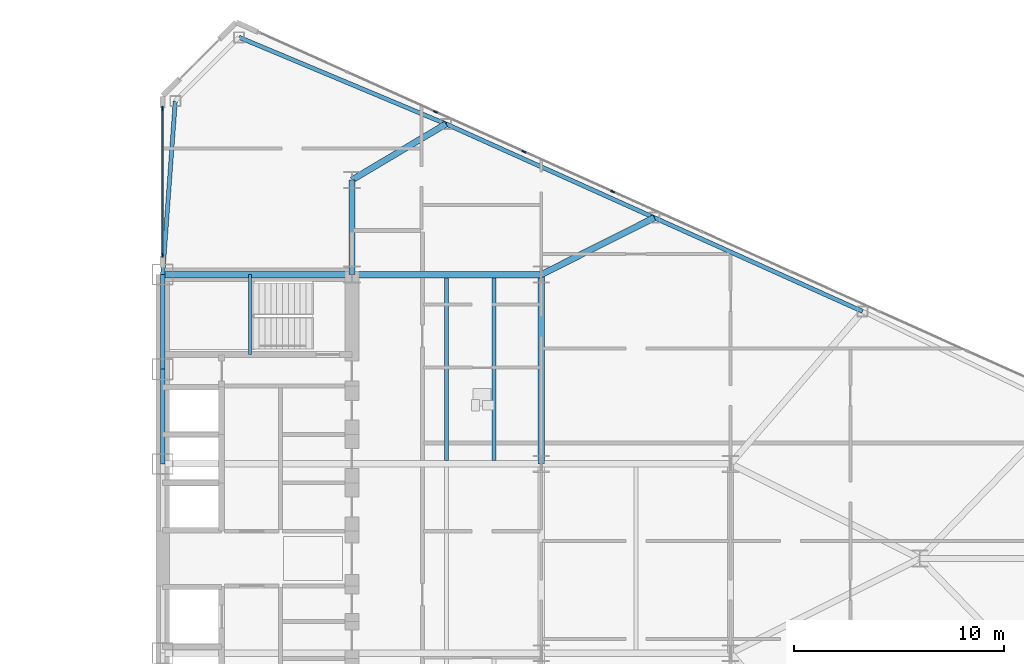
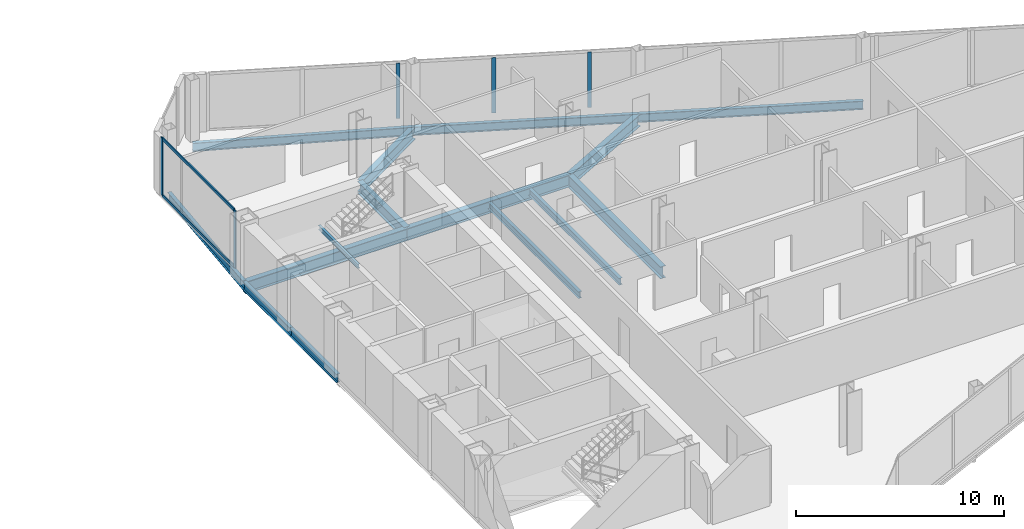
# One storey, part 13 of 27: 15 beams, 7 members, 2 elements without a shape of their own.
"""IFC4 building model written with IfcOpenShell, lengths in metres."""

from ifc_helpers import new_model, si_unit, direction, frame, origin, origin_2d, place, context, subcontext, project, spatial, rectangle, i_section, extrude, source, transform, mapped, material, layer, layer_set, material_profile, profile_set, type_object, type_shapes, element, aggregate, save


model = new_model("IFC4")

# Units and contexts
model_context = context("Model", 3, precision=1e-05, world=origin(), true_north=direction((0.0, 1.0)))
body_context = subcontext(model_context, "Body", "Model", "MODEL_VIEW")
ifc_project = project(units=[si_unit("LENGTHUNIT", "METRE"), si_unit("AREAUNIT", "SQUARE_METRE"), si_unit("VOLUMEUNIT", "CUBIC_METRE"), si_unit("PLANEANGLEUNIT", "RADIAN"), si_unit("MASSUNIT", "GRAM", prefix="KILO")], contexts=[model_context])

# Site, building, storey
site_placement = place(None, origin())
site = spatial("IfcSite", under=ifc_project, at=site_placement, CompositionType="ELEMENT")
building_placement = place(site_placement, origin())
building = spatial("IfcBuilding", under=site, at=building_placement, Name="Seokmaru Belvedere", CompositionType="ELEMENT")
storey_placement = place(building_placement, frame((0.0, 0.0, 76.5)))
storey = spatial("IfcBuildingStorey", under=building, at=storey_placement, Name="L20", CompositionType="ELEMENT", Elevation=76.5)

# Beams
ifc_material_1 = material(Name="Steel SM355 (355 MPa)", Category="steel")
ifc_material_profile_1 = material_profile(ifc_material_1, i_section(OverallWidth=0.199951171875, OverallDepth=0.5, WebThickness=0.010009765625, FlangeThickness=0.01611328125, at=origin_2d()), Name="H-500x200x10x16")
ifc_profile_set_1 = profile_set([ifc_material_profile_1], Name="Steel SM355 (355 MPa)")
beam_type_1 = type_object("IfcBeamType", Name="Perimeter Spandrel Beam H-500", PredefinedType="SPANDREL", material=ifc_profile_set_1)
shared_shape_1 = source(origin(), body_context, "Body", "SweptSolid", [
    extrude(i_section(OverallWidth=0.199951171875, OverallDepth=0.5, WebThickness=0.010009765625, FlangeThickness=0.01611328125, at=origin_2d()), origin(), (0.0, 0.0, 1.0), 4.5),
])
for number, where, z_axis, x_axis, name in (
    (1, (27.5, 4.5, -0.469970703125), (0.0, 1.0, 0.0), (-1.0, 0.0, 0.0), "L20 E Portal Spine Spandrel 4"),
    (2, (27.5, 9.0, -0.469970703125), (0.0, 1.0, 0.0), (-1.0, 0.0, 0.0), "L20 E Portal Spine Spandrel 5"),
):
    element("IfcBeam", number, at=place(storey_placement, frame(where, z_axis=z_axis, x_axis=x_axis)), inside=storey, type_object=beam_type_1, Name=name, PredefinedType="SPANDREL", context=body_context, shape_type="MappedRepresentation", body=[
        mapped(shared_shape_1, transform((0.0, 0.0, 0.0), scale=1.0)),
    ])
ifc_material_profile_2 = material_profile(ifc_material_1, i_section(OverallWidth=0.300048828125, OverallDepth=0.699951171875, WebThickness=0.012939453125, FlangeThickness=0.02392578125, at=origin_2d()), Name="H-700x300x13x24")
ifc_profile_set_2 = profile_set([ifc_material_profile_2], Name="Steel SM355 (355 MPa)")
beam_type_2 = type_object("IfcBeamType", Name="Primary Floor Girder H-700", PredefinedType="BEAM", material=ifc_profile_set_2)
shared_shape_2 = source(origin(), body_context, "Body", "SweptSolid", [
    extrude(i_section(OverallWidth=0.300048828125, OverallDepth=0.699951171875, WebThickness=0.012939453125, FlangeThickness=0.02392578125, at=origin_2d()), origin(), (0.0, 0.0, 1.0), 4.5),
])
beam_1_placement = place(storey_placement, frame((36.5, 13.5, -0.570068359375), z_axis=(0.0, 1.0, 0.0), x_axis=(-1.0, 0.0, 0.0)))
element("IfcBeam", 3, at=beam_1_placement, inside=storey, type_object=beam_type_2, Name="L20 E Core Shoulder Girder N", PredefinedType="BEAM", context=body_context, shape_type="MappedRepresentation", body=[
    mapped(shared_shape_2, transform((0.0, 0.0, 0.0), scale=1.0)),
])
shared_shape_3 = source(origin(), body_context, "Body", "SweptSolid", [
    extrude(i_section(OverallWidth=0.300048828125, OverallDepth=0.699951171875, WebThickness=0.012939453125, FlangeThickness=0.02392578125, at=origin_2d()), origin(), (0.0, 0.0, 1.0), 9.0),
])
for number, where, z_axis, x_axis, name in (
    (4, (45.5, 4.5, -0.570068359375), (0.0, 1.0, 0.0), (-1.0, 0.0, 0.0), "L20 E Interior Grid Girder 3"),
    (5, (27.5, 13.5, -0.570068359375), (1.0, 0.0, 0.0), (0.0, 1.0, 0.0), "L20 E Core Tie Girder 4"),
    (6, (36.5, 13.5, -0.570068359375), (1.0, 0.0, 0.0), (0.0, 1.0, 0.0), "L20 E Wing Primary Girder 4"),
):
    element("IfcBeam", number, at=place(storey_placement, frame(where, z_axis=z_axis, x_axis=x_axis)), inside=storey, type_object=beam_type_2, Name=name, PredefinedType="BEAM", context=body_context, shape_type="MappedRepresentation", body=[
        mapped(shared_shape_3, transform((0.0, 0.0, 0.0), scale=1.0)),
    ])
ifc_material_profile_3 = material_profile(ifc_material_1, i_section(OverallWidth=0.18505859375, OverallDepth=0.389892578125, WebThickness=0.008056640625, FlangeThickness=0.011962890625, at=origin_2d()), Name="H-390x185x8x12")
ifc_profile_set_3 = profile_set([ifc_material_profile_3], Name="Steel SM355 (355 MPa)")
beam_type_3 = type_object("IfcBeamType", Name="Secondary Floor Joist H-350", PredefinedType="JOIST", material=ifc_profile_set_3)
shared_shape_4 = source(origin(), body_context, "Body", "SweptSolid", [
    extrude(i_section(OverallWidth=0.18505859375, OverallDepth=0.389892578125, WebThickness=0.008056640625, FlangeThickness=0.011962890625, at=origin_2d()), origin(), (0.0, 0.0, 1.0), 8.68994140625),
])
type_shapes(beam_type_3, [shared_shape_4])
for number, where, z_axis, x_axis, name in (
    (7, (43.25, 4.655029296875, -0.4150390625), (0.0, 1.0, 0.0), (-1.0, 0.0, 0.0), "L20 E Wing Inner Secondary Joist 2"),
    (8, (41.0, 4.655029296875, -0.4150390625), (0.0, 1.0, 0.0), (-1.0, 0.0, 0.0), "L20 E Secondary Floor Joist 3"),
):
    element("IfcBeam", number, at=place(storey_placement, frame(where, z_axis=z_axis, x_axis=x_axis)), inside=storey, type_object=beam_type_3, Name=name, PredefinedType="JOIST", context=body_context, shape_type="MappedRepresentation", body=[
        mapped(shared_shape_4, transform((0.0, 0.0, 0.0), scale=1.0)),
    ])
shared_shape_5 = source(origin(), body_context, "Body", "SweptSolid", [
    extrude(i_section(OverallWidth=0.199951171875, OverallDepth=0.5, WebThickness=0.010009765625, FlangeThickness=0.01611328125, at=origin_2d()), origin(), (0.0, 0.0, 1.0), 10.66943359375),
])
beam_2_placement = place(storey_placement, frame((31.13134765625, 24.782958984375, -0.469970703125), z_axis=(0.922375393128, -0.386294750355, 0.0), x_axis=(0.386294750355, 0.922375393128, 0.0)))
element("IfcBeam", 9, at=beam_2_placement, inside=storey, type_object=beam_type_1, Name="L20 E Faceted Flank Spandrel N-1", PredefinedType="SPANDREL", context=body_context, shape_type="MappedRepresentation", body=[
    mapped(shared_shape_5, transform((0.0, 0.0, 0.0), scale=1.0)),
])
shared_shape_6 = source(origin(), body_context, "Body", "SweptSolid", [
    extrude(i_section(OverallWidth=0.199951171875, OverallDepth=0.5, WebThickness=0.010009765625, FlangeThickness=0.01611328125, at=origin_2d()), origin(), (0.0, 0.0, 1.0), 10.85888671875),
])
for number, where, z_axis, x_axis, name in (
    (10, (40.97265625, 20.661376953125, -0.469970703125), (0.911921505175, -0.410364677329, 0.0), (0.410364677329, 0.911921505175, 0.0), "L20 E Faceted Flank Spandrel N-2"),
    (11, (50.875, 16.205322265625, -0.469970703125), (0.911925291223, -0.410356263785, 0.0), (0.410356263785, 0.911925291223, 0.0), "L20 E Faceted Flank Spandrel N-3"),
):
    element("IfcBeam", number, at=place(storey_placement, frame(where, z_axis=z_axis, x_axis=x_axis)), inside=storey, type_object=beam_type_1, Name=name, PredefinedType="SPANDREL", context=body_context, shape_type="MappedRepresentation", body=[
        mapped(shared_shape_6, transform((0.0, 0.0, 0.0), scale=1.0)),
    ])
shared_shape_7 = source(origin(), body_context, "Body", "SweptSolid", [
    extrude(i_section(OverallWidth=0.199951171875, OverallDepth=0.5, WebThickness=0.010009765625, FlangeThickness=0.01611328125, at=origin_2d()), origin(), (0.0, 0.0, 1.0), 8.273193359375),
])
type_shapes(beam_type_1, [shared_shape_1, shared_shape_5, shared_shape_6, shared_shape_7])
beam_3_placement = place(storey_placement, frame((28.10009765625, 21.75146484375, -0.469970703125), z_axis=(-0.072534628348, -0.99736589459, 0.0), x_axis=(0.99736589459, -0.072534628348, 0.0)))
element("IfcBeam", 12, at=beam_3_placement, inside=storey, type_object=beam_type_1, Name="L20 E Shoulder Spine Spandrel N", PredefinedType="SPANDREL", context=body_context, shape_type="MappedRepresentation", body=[
    mapped(shared_shape_7, transform((0.0, 0.0, 0.0), scale=1.0)),
])
shared_shape_8 = source(origin(), body_context, "Body", "SweptSolid", [
    extrude(i_section(OverallWidth=0.300048828125, OverallDepth=0.699951171875, WebThickness=0.012939453125, FlangeThickness=0.02392578125, at=origin_2d()), origin(), (0.0, 0.0, 1.0), 5.20458984375),
])
beam_4_placement = place(storey_placement, frame((40.97265625, 20.661376953125, -0.570068359375), z_axis=(-0.859370434188, -0.511353553662, 0.0), x_axis=(0.511353553662, -0.859370434188, 0.0)))
element("IfcBeam", 13, at=beam_4_placement, inside=storey, type_object=beam_type_2, Name="L20 E Flank Radial Floor Girder N-1", PredefinedType="BEAM", context=body_context, shape_type="MappedRepresentation", body=[
    mapped(shared_shape_8, transform((0.0, 0.0, 0.0), scale=1.0)),
])
shared_shape_9 = source(origin(), body_context, "Body", "SweptSolid", [
    extrude(i_section(OverallWidth=0.300048828125, OverallDepth=0.699951171875, WebThickness=0.012939453125, FlangeThickness=0.02392578125, at=origin_2d()), origin(), (0.0, 0.0, 1.0), 6.017333984375),
])
type_shapes(beam_type_2, [shared_shape_2, shared_shape_3, shared_shape_8, shared_shape_9])
beam_5_placement = place(storey_placement, frame((50.875, 16.205322265625, -0.570068359375), z_axis=(-0.893239341975, -0.449581447512, 0.0), x_axis=(0.449581447512, -0.893239341975, 0.0)))
element("IfcBeam", 14, at=beam_5_placement, inside=storey, type_object=beam_type_2, Name="L20 E Flank Radial Floor Girder N-2", PredefinedType="BEAM", context=body_context, shape_type="MappedRepresentation", body=[
    mapped(shared_shape_9, transform((0.0, 0.0, 0.0), scale=1.0)),
])

# Curtain wall, members
ifc_material_2 = material(Name="Bronze Triple Insulating Glass", Category="glass")
ifc_layer = layer(ifc_material_2, 0.195068359375)
ifc_layer_set = layer_set([ifc_layer], Name="Bronze Triple Insulating Glass")
curtain_wall_type = type_object("IfcCurtainWallType", Name="Lower-Mid Tapered Curtain Wall System CW-3", PredefinedType="NOTDEFINED", material=ifc_layer_set)
curtain_wall_1_placement = place(storey_placement, origin())
curtain_wall_1 = element("IfcCurtainWall", 15, at=curtain_wall_1_placement, inside=storey, type_object=curtain_wall_type, Name="L20 Curtain Wall ESP_2", PredefinedType="NOTDEFINED")
ifc_material_3 = material(Name="Anodised Bronze Aluminium", Category="aluminium")
ifc_material_profile_4 = material_profile(ifc_material_3, rectangle(XDim=0.070068359375, YDim=0.195068359375, at=origin_2d()), Name="CW-M-70x195")
ifc_profile_set_4 = profile_set([ifc_material_profile_4], Name="Anodised Bronze Aluminium")
member_type_1 = type_object("IfcMemberType", Name="Bronze Unitised Mullion 70x195", PredefinedType="MULLION", material=ifc_profile_set_4)
shared_shape_10 = source(origin(), body_context, "Body", "SweptSolid", [
    extrude(rectangle(XDim=0.070068359375, YDim=0.195068359375, at=origin_2d()), origin(), (0.0, 0.0, 1.0), 3.3798828125),
])
member_1_placement = place(storey_placement, frame((27.5, 21.39501953125, 0.0), z_axis=(0.0, 0.0, 1.0), x_axis=(1.0, 0.0, 0.0)))
member_1 = element("IfcMember", 16, at=member_1_placement, type_object=member_type_1, Name="CW:L20:ESP_2 Mullion 1", PredefinedType="MULLION", context=body_context, shape_type="MappedRepresentation", body=[
    mapped(shared_shape_10, transform((0.0, 0.0, 0.0), scale=1.0)),
])
member_2_placement = place(storey_placement, frame((27.5, 14.4150390625, 0.0), z_axis=(0.0, 0.0, 1.0), x_axis=(1.0, 0.0, 0.0)))
member_2 = element("IfcMember", 17, at=member_2_placement, type_object=member_type_1, Name="CW:L20:ESP_2 Mullion 2", PredefinedType="MULLION", context=body_context, shape_type="MappedRepresentation", body=[
    mapped(shared_shape_10, transform((0.0, 0.0, 0.0), scale=1.0)),
])
ifc_material_profile_5 = material_profile(ifc_material_3, rectangle(XDim=0.070068359375, YDim=0.1650390625, at=origin_2d()), Name="CW-T-70x165")
ifc_profile_set_5 = profile_set([ifc_material_profile_5], Name="Anodised Bronze Aluminium")
member_type_2 = type_object("IfcMemberType", Name="Bronze Unitised Transom 70x165", PredefinedType="USERDEFINED", material=ifc_profile_set_5)
shared_shape_11 = source(origin(), body_context, "Body", "SweptSolid", [
    extrude(rectangle(XDim=0.070068359375, YDim=0.1650390625, at=origin_2d()), origin(), (0.0, 0.0, 1.0), 6.91015625),
])
type_shapes(member_type_2, [shared_shape_11])
member_3_placement = place(storey_placement, frame((27.5, 21.360107421875, 0.034912109375), z_axis=(0.0, -1.0, 0.0), x_axis=(1.0, 0.0, 0.0)))
member_3 = element("IfcMember", 18, at=member_3_placement, type_object=member_type_2, Name="CW:L20:ESP_2 Continuous Transom 1", ObjectType="TRANSOM", PredefinedType="USERDEFINED", context=body_context, shape_type="MappedRepresentation", body=[
    mapped(shared_shape_11, transform((0.0, 0.0, 0.0), scale=1.0)),
])
member_4_placement = place(storey_placement, frame((27.5, 21.360107421875, 3.344970703125), z_axis=(0.0, -1.0, 0.0), x_axis=(1.0, 0.0, 0.0)))
member_4 = element("IfcMember", 19, at=member_4_placement, type_object=member_type_2, Name="CW:L20:ESP_2 Continuous Transom 2", ObjectType="TRANSOM", PredefinedType="USERDEFINED", context=body_context, shape_type="MappedRepresentation", body=[
    mapped(shared_shape_11, transform((0.0, 0.0, 0.0), scale=1.0)),
])
aggregate(curtain_wall_1, [member_1, member_2, member_3, member_4])

curtain_wall_2_placement = place(storey_placement, origin())
curtain_wall_2 = element("IfcCurtainWall", 20, at=curtain_wall_2_placement, inside=storey, type_object=curtain_wall_type, Name="L20 Curtain Wall EF3", PredefinedType="NOTDEFINED")
shared_shape_12 = source(origin(), body_context, "Body", "SweptSolid", [
    extrude(rectangle(XDim=0.070068359375, YDim=0.195068359375, at=origin_2d()), origin(), (0.0, 0.0, 1.0), 3.239990234375),
])
type_shapes(member_type_1, [shared_shape_10, shared_shape_12])
member_5_placement = place(storey_placement, frame((48.894287109375, 17.447509765625, 0.070068359375), z_axis=(0.0, 0.0, 1.0), x_axis=(-0.41036554765, -0.91192111353, 0.0)))
member_5 = element("IfcMember", 21, at=member_5_placement, type_object=member_type_1, Name="CW:L20:EF3 Mullion 6", PredefinedType="MULLION", context=body_context, shape_type="MappedRepresentation", body=[
    mapped(shared_shape_12, transform((0.0, 0.0, 0.0), scale=1.0)),
])
member_6_placement = place(storey_placement, frame((44.682861328125, 19.3427734375, 0.070068359375), z_axis=(0.0, 0.0, 1.0), x_axis=(-0.41036554765, -0.91192111353, 0.0)))
member_6 = element("IfcMember", 22, at=member_6_placement, type_object=member_type_1, Name="CW:L20:EF3 Mullion 7", PredefinedType="MULLION", context=body_context, shape_type="MappedRepresentation", body=[
    mapped(shared_shape_12, transform((0.0, 0.0, 0.0), scale=1.0)),
])
member_7_placement = place(storey_placement, frame((40.471435546875, 21.23779296875, 0.070068359375), z_axis=(0.0, 0.0, 1.0), x_axis=(-0.41036554765, -0.91192111353, 0.0)))
member_7 = element("IfcMember", 23, at=member_7_placement, type_object=member_type_1, Name="CW:L20:EF3 Mullion 8", PredefinedType="MULLION", context=body_context, shape_type="MappedRepresentation", body=[
    mapped(shared_shape_12, transform((0.0, 0.0, 0.0), scale=1.0)),
])
aggregate(curtain_wall_2, [member_5, member_6, member_7])

# Beam
ifc_material_profile_6 = material_profile(ifc_material_1, i_section(OverallWidth=0.125, OverallDepth=0.25, WebThickness=0.006103515625, FlangeThickness=0.009033203125, at=origin_2d()), Name="H-250x125x6x9")
ifc_profile_set_6 = profile_set([ifc_material_profile_6], Name="Steel SM355 (355 MPa)")
beam_type_4 = type_object("IfcBeamType", Name="Stair Mid-Landing Support Beam H-250", PredefinedType="JOIST", material=ifc_profile_set_6)
shared_shape_13 = source(origin(), body_context, "Body", "SweptSolid", [
    extrude(i_section(OverallWidth=0.125, OverallDepth=0.25, WebThickness=0.006103515625, FlangeThickness=0.009033203125, at=origin_2d()), origin(), (0.0, 0.0, 1.0), 3.800048828125),
])
type_shapes(beam_type_4, [shared_shape_13])
beam_6_placement = place(storey_placement, frame((31.64990234375, 9.699951171875, 1.47509765625), z_axis=(0.0, 1.0, 0.0), x_axis=(-1.0, 0.0, 0.0)))
element("IfcBeam", 24, at=beam_6_placement, inside=storey, type_object=beam_type_4, Name="L20 Stair ST-E2 Mid-Landing Support Beam 1", PredefinedType="JOIST", context=body_context, shape_type="MappedRepresentation", body=[
    mapped(shared_shape_13, transform((0.0, 0.0, 0.0), scale=1.0)),
])

save(model, "model.ifc")
